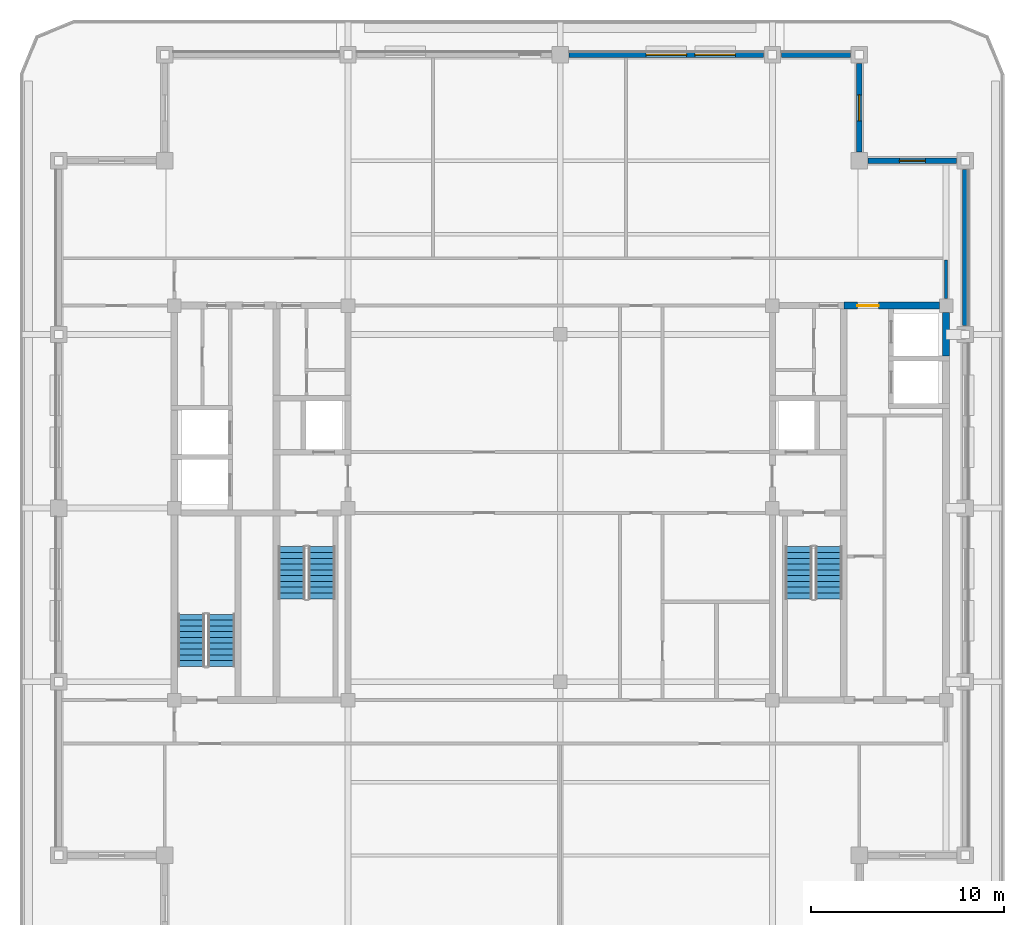
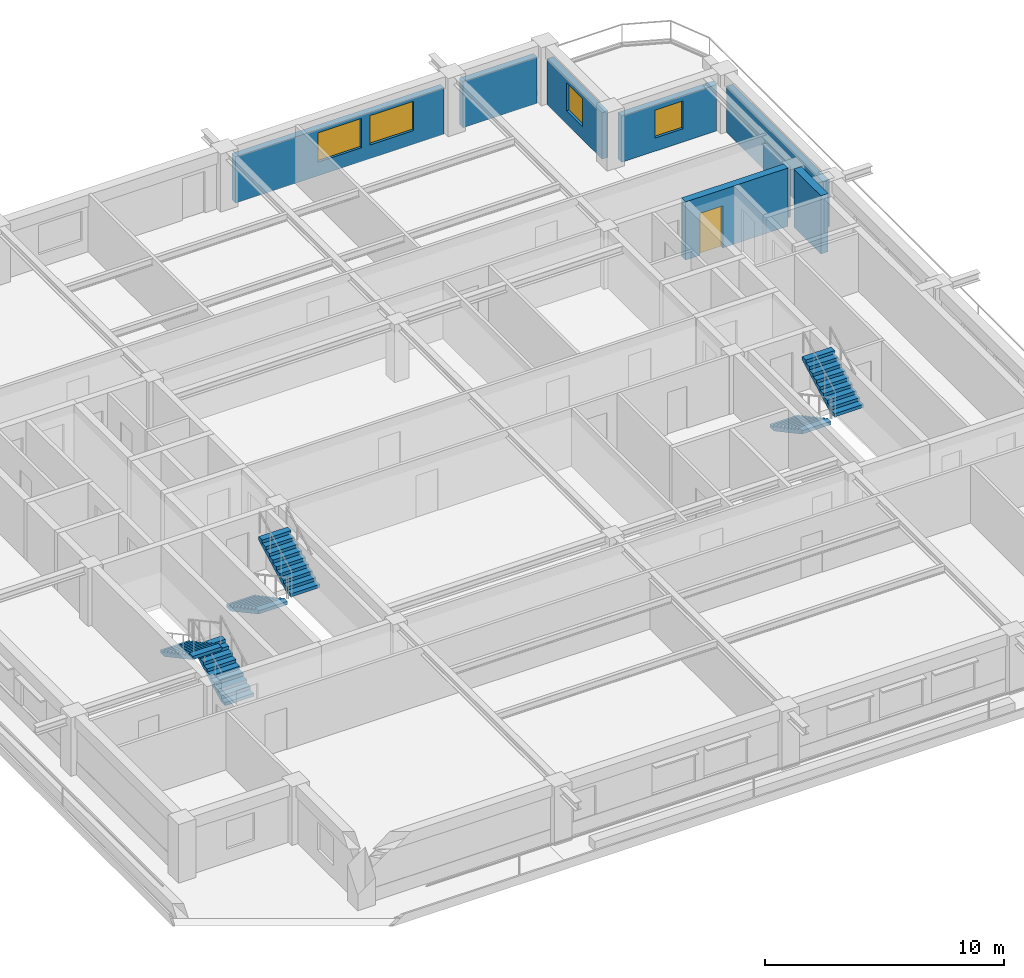
# One storey, part 6 of 11: 8 walls, 6 stair flights, 4 windows, 1 door, 5 openings, 3 elements without a shape of their own.
"""IFC4 building model written with IfcOpenShell, lengths in metres."""

from ifc_helpers import new_model, si_unit, direction, frame, frame_2d, origin, place, context, subcontext, project, spatial, polyline, rectangle, outline, extrude, material, layer, layer_set, type_object, element, fill, aggregate, save


model = new_model("IFC4")

# Units and contexts
model_context = context("Model", 3, precision=1e-05, world=origin(), true_north=direction((0.0, 1.0)))
body_context = subcontext(model_context, "Body", "Model", "MODEL_VIEW")
ifc_project = project(units=[si_unit("LENGTHUNIT", "METRE"), si_unit("AREAUNIT", "SQUARE_METRE"), si_unit("VOLUMEUNIT", "CUBIC_METRE"), si_unit("PLANEANGLEUNIT", "RADIAN"), si_unit("MASSUNIT", "GRAM", prefix="KILO")], contexts=[model_context])

# Site, building, storey
site_placement = place(None, origin())
site = spatial("IfcSite", under=ifc_project, at=site_placement, CompositionType="ELEMENT")
building_placement = place(site_placement, origin())
building = spatial("IfcBuilding", under=site, at=building_placement, Name="Zulmaris Gate Convention Tower", CompositionType="ELEMENT")
storey_placement = place(building_placement, frame((0.0, 0.0, 260.889892578125)))
storey = spatial("IfcBuildingStorey", under=building, at=storey_placement, Name="L69", CompositionType="ELEMENT", Elevation=260.889892578125)

# Wall, opening, door
ifc_material_1 = material(Name="Concrete C55/67", Category="concrete")
ifc_layer_1 = layer(ifc_material_1, 0.35009765625, Name="Concrete C55/67")
ifc_layer_set_1 = layer_set([ifc_layer_1], Name="Concrete C55/67")
wall_type_1 = type_object("IfcWallType", Name="CORE-350", PredefinedType="SHEAR", material=ifc_layer_set_1)
wall_1_placement = place(storey_placement, frame((14.699951171875, 10.5, 0.0), z_axis=(0.0, 0.0, 1.0), x_axis=(1.0, 0.0, 0.0)))
wall_1 = element("IfcWall", 1, at=wall_1_placement, inside=storey, type_object=wall_type_1, Name="WL-L69-018", PredefinedType="SHEAR", context=body_context, shape_type="SweptSolid", body=[
    extrude(rectangle(XDim=4.946044921875, YDim=0.35009765625, at=frame_2d((2.47314453125, 0.0))), origin(), (0.0, 0.0, 1.0), 2.97998046875),
])
opening_1_placement = place(wall_1_placement, frame((0.699951171875, 0.0, 0.0)))
opening_1 = element("IfcOpeningElement", 2, at=opening_1_placement, cuts=wall_1, Name="Opening D-08", PredefinedType="OPENING", context=body_context, shape_type="SweptSolid", body=[
    extrude(rectangle(XDim=1.10009765625, YDim=2.14990234375, at=frame_2d((0.550048828125, 1.074951171875))), frame((0.0, 0.18505859375, 0.0), z_axis=(0.0, -1.0, 0.0), x_axis=(1.0, 0.0, 0.0)), (0.0, 0.0, 1.0), 0.3701171875),
])
ifc_material_2 = material(Name="Fire-Rated Steel", Category="steel")
door_type = type_object("IfcDoorType", Name="DR-1100-FD", OperationType="NOTDEFINED", PredefinedType="DOOR", material=ifc_material_2)
door_placement = place(opening_1_placement, origin())
door = element("IfcDoor", 3, at=door_placement, inside=storey, type_object=door_type, Name="L69 High-Rise East Lift Lobby Door 21", OperationType="SINGLE_SWING_RIGHT", OverallHeight=2.14990234375, OverallWidth=1.10009765625, PredefinedType="DOOR", context=body_context, shape_type="SweptSolid", body=[
    extrude(rectangle(XDim=1.10009765625, YDim=2.14990234375, at=frame_2d((0.550048828125, 1.074951171875))), frame((0.0, 0.02490234375, 0.0), z_axis=(0.0, -1.0, 0.0), x_axis=(1.0, 0.0, 0.0)), (0.0, 0.0, 1.0), 0.050048828125),
])
fill(opening_1, door)

# Walls
wall_2_placement = place(storey_placement, frame((20.0, 7.876953125, 0.0), z_axis=(0.0, 0.0, 1.0), x_axis=(0.0, 1.0, 0.0)))
element("IfcWall", 4, at=wall_2_placement, inside=storey, type_object=wall_type_1, Name="WL-L69-063", PredefinedType="SHEAR", context=body_context, shape_type="SweptSolid", body=[
    extrude(rectangle(XDim=2.26904296875, YDim=0.35009765625, at=frame_2d((1.134521484375, 0.0))), origin(), (0.0, 0.0, 1.0), 2.97998046875),
])
ifc_material_3 = material(Name="Gypsum Metal Stud Partition")
ifc_layer_2 = layer(ifc_material_3, 0.14990234375, Name="Gypsum Metal Stud Partition")
ifc_layer_set_2 = layer_set([ifc_layer_2], Name="Gypsum Metal Stud Partition")
wall_type_2 = type_object("IfcWallType", Name="PART-150", PredefinedType="PARTITIONING", material=ifc_layer_set_2)
wall_3_placement = place(storey_placement, frame((20.0, 10.85595703125, 0.0), z_axis=(0.0, 0.0, 1.0), x_axis=(0.0, 1.0, 0.0)))
element("IfcWall", 5, at=wall_3_placement, inside=storey, type_object=wall_type_2, Name="WL-L69-086", PredefinedType="PARTITIONING", context=body_context, shape_type="SweptSolid", body=[
    extrude(rectangle(XDim=2.01611328125, YDim=0.14990234375, at=frame_2d((1.008056640625, 0.0))), origin(), (0.0, 0.0, 1.0), 2.570068359375),
])

# Wall, opening, window
ifc_material_4 = material(Name="Precast concrete C40/50", Category="concrete")
ifc_layer_3 = layer(ifc_material_4, 0.300048828125, Name="Precast concrete C40/50")
ifc_layer_set_3 = layer_set([ifc_layer_3], Name="Precast concrete C40/50")
wall_type_3 = type_object("IfcWallType", Name="PRECAST-PIER-300", PredefinedType="STANDARD", material=ifc_layer_set_3)
wall_4_placement = place(storey_placement, frame((20.544921875, 18.0, 0.0), z_axis=(0.0, 0.0, 1.0), x_axis=(-1.0, 0.0, 0.0)))
wall_4 = element("IfcWall", 6, at=wall_4_placement, inside=storey, type_object=wall_type_3, Name="EW-L69-NOTCH-NE1_0", PredefinedType="STANDARD", context=body_context, shape_type="SweptSolid", body=[
    extrude(rectangle(XDim=4.58984375, YDim=0.300048828125, at=frame_2d((2.294921875, 0.0))), origin(), (0.0, 0.0, 1.0), 2.3720703125),
])
opening_2_placement = place(wall_4_placement, frame((1.6201171875, 0.0, 0.679931640625)))
opening_2 = element("IfcOpeningElement", 7, at=opening_2_placement, cuts=wall_4, Name="Opening W-10", PredefinedType="OPENING", context=body_context, shape_type="SweptSolid", body=[
    extrude(rectangle(XDim=1.35009765625, YDim=1.419921875, at=frame_2d((0.675048828125, 0.7099609375))), frame((0.0, 0.16015625, 0.0), z_axis=(0.0, -1.0, 0.0), x_axis=(1.0, 0.0, 0.0)), (0.0, 0.0, 1.0), 0.320068359375),
])
ifc_material_5 = material(Name="Low-E Laminated Double Glazing in Aluminium Frame", Category="aluminium")
window_type_1 = type_object("IfcWindowType", Name="WIN-1350x2000", PartitioningType="SINGLE_PANEL", PredefinedType="WINDOW", material=ifc_material_5)
window_1_placement = place(opening_2_placement, origin())
window_1 = element("IfcWindow", 8, at=window_1_placement, inside=storey, type_object=window_type_1, Name="WN-EW-L69-NOTCH-NE1_0", OverallHeight=1.419921875, OverallWidth=1.35009765625, PartitioningType="SINGLE_PANEL", PredefinedType="WINDOW", context=body_context, shape_type="SweptSolid", body=[
    extrude(rectangle(XDim=1.35009765625, YDim=1.419921875, at=frame_2d((0.675048828125, 0.7099609375))), frame((0.0, 0.030029296875, 0.0), z_axis=(0.0, -1.0, 0.0), x_axis=(1.0, 0.0, 0.0)), (0.0, 0.0, 1.0), 0.06005859375),
])
fill(opening_2, window_1)

wall_5_placement = place(storey_placement, frame((15.5, 18.455078125, 0.0), z_axis=(0.0, 0.0, 1.0), x_axis=(0.0, 1.0, 0.0)))
wall_5 = element("IfcWall", 9, at=wall_5_placement, inside=storey, type_object=wall_type_3, Name="EW-L69-NOTCH-NE2_0", PredefinedType="STANDARD", context=body_context, shape_type="SweptSolid", body=[
    extrude(rectangle(XDim=4.58984375, YDim=0.300048828125, at=frame_2d((2.294921875, 0.0))), origin(), (0.0, 0.0, 1.0), 2.3720703125),
])
opening_3_placement = place(wall_5_placement, frame((1.6201171875, 0.0, 0.679931640625)))
opening_3 = element("IfcOpeningElement", 10, at=opening_3_placement, cuts=wall_5, Name="Opening W-10", PredefinedType="OPENING", context=body_context, shape_type="SweptSolid", body=[
    extrude(rectangle(XDim=1.35009765625, YDim=1.419921875, at=frame_2d((0.675048828125, 0.7099609375))), frame((0.0, 0.16015625, 0.0), z_axis=(0.0, -1.0, 0.0), x_axis=(1.0, 0.0, 0.0)), (0.0, 0.0, 1.0), 0.320068359375),
])
window_2_placement = place(opening_3_placement, origin())
window_2 = element("IfcWindow", 11, at=window_2_placement, inside=storey, type_object=window_type_1, Name="WN-EW-L69-NOTCH-NE2_0", OverallHeight=1.419921875, OverallWidth=1.35009765625, PartitioningType="SINGLE_PANEL", PredefinedType="WINDOW", context=body_context, shape_type="SweptSolid", body=[
    extrude(rectangle(XDim=1.35009765625, YDim=1.419921875, at=frame_2d((0.675048828125, 0.7099609375))), frame((0.0, 0.030029296875, 0.0), z_axis=(0.0, -1.0, 0.0), x_axis=(1.0, 0.0, 0.0)), (0.0, 0.0, 1.0), 0.06005859375),
])
fill(opening_3, window_2)

# Wall, openings, windows
wall_6_placement = place(storey_placement, frame((10.544921875, 23.5, 0.0), z_axis=(0.0, 0.0, 1.0), x_axis=(-1.0, 0.0, 0.0)))
wall_6 = element("IfcWall", 12, at=wall_6_placement, inside=storey, type_object=wall_type_3, Name="EW-L69-N-2_0", PredefinedType="STANDARD", context=body_context, shape_type="SweptSolid", body=[
    extrude(rectangle(XDim=10.08984375, YDim=0.300048828125, at=frame_2d((5.044921875, 0.0))), origin(), (0.0, 0.0, 1.0), 2.3720703125),
])
opening_4_placement = place(wall_6_placement, frame((1.471923828125, 0.0, 0.699951171875)))
opening_4 = element("IfcOpeningElement", 13, at=opening_4_placement, cuts=wall_6, Name="Opening W-05", PredefinedType="OPENING", context=body_context, shape_type="SweptSolid", body=[
    extrude(rectangle(XDim=2.10009765625, YDim=1.5, at=frame_2d((1.050048828125, 0.75))), frame((0.0, 0.16015625, 0.0), z_axis=(0.0, -1.0, 0.0), x_axis=(1.0, 0.0, 0.0)), (0.0, 0.0, 1.0), 0.320068359375),
])
opening_5_placement = place(wall_6_placement, frame((3.9951171875, 0.0, 0.699951171875)))
opening_5 = element("IfcOpeningElement", 14, at=opening_5_placement, cuts=wall_6, Name="Opening W-05", PredefinedType="OPENING", context=body_context, shape_type="SweptSolid", body=[
    extrude(rectangle(XDim=2.10009765625, YDim=1.5, at=frame_2d((1.050048828125, 0.75))), frame((0.0, 0.16015625, 0.0), z_axis=(0.0, -1.0, 0.0), x_axis=(1.0, 0.0, 0.0)), (0.0, 0.0, 1.0), 0.320068359375),
])
window_type_2 = type_object("IfcWindowType", Name="WIN-2100x2400", PartitioningType="SINGLE_PANEL", PredefinedType="WINDOW", material=ifc_material_5)
window_3_placement = place(opening_4_placement, origin())
window_3 = element("IfcWindow", 15, at=window_3_placement, inside=storey, type_object=window_type_2, Name="WN-EW-L69-N-2_0-1", OverallHeight=1.5, OverallWidth=2.10009765625, PartitioningType="SINGLE_PANEL", PredefinedType="WINDOW", context=body_context, shape_type="SweptSolid", body=[
    extrude(rectangle(XDim=2.10009765625, YDim=1.5, at=frame_2d((1.050048828125, 0.75))), frame((0.0, 0.030029296875, 0.0), z_axis=(0.0, -1.0, 0.0), x_axis=(1.0, 0.0, 0.0)), (0.0, 0.0, 1.0), 0.06005859375),
])
fill(opening_4, window_3)
window_4_placement = place(opening_5_placement, origin())
window_4 = element("IfcWindow", 16, at=window_4_placement, inside=storey, type_object=window_type_2, Name="WN-EW-L69-N-2_0-2", OverallHeight=1.5, OverallWidth=2.10009765625, PartitioningType="SINGLE_PANEL", PredefinedType="WINDOW", context=body_context, shape_type="SweptSolid", body=[
    extrude(rectangle(XDim=2.10009765625, YDim=1.5, at=frame_2d((1.050048828125, 0.75))), frame((0.0, 0.030029296875, 0.0), z_axis=(0.0, -1.0, 0.0), x_axis=(1.0, 0.0, 0.0)), (0.0, 0.0, 1.0), 0.06005859375),
])
fill(opening_5, window_4)

# Walls
wall_7_placement = place(storey_placement, frame((15.044921875, 23.5, 0.0), z_axis=(0.0, 0.0, 1.0), x_axis=(-1.0, 0.0, 0.0)))
element("IfcWall", 17, at=wall_7_placement, inside=storey, type_object=wall_type_3, Name="EW-L69-N-3_0", PredefinedType="STANDARD", context=body_context, shape_type="SweptSolid", body=[
    extrude(rectangle(XDim=3.58984375, YDim=0.300048828125, at=frame_2d((1.794921875, 0.0))), origin(), (0.0, 0.0, 1.0), 2.3720703125),
])
wall_8_placement = place(storey_placement, frame((21.0, 9.455078125, 0.0), z_axis=(0.0, 0.0, 1.0), x_axis=(0.0, 1.0, 0.0)))
element("IfcWall", 18, at=wall_8_placement, inside=storey, type_object=wall_type_3, Name="EW-L69-E-3_0", PredefinedType="STANDARD", context=body_context, shape_type="SweptSolid", body=[
    extrude(rectangle(XDim=8.08984375, YDim=0.300048828125, at=frame_2d((4.044921875, 0.0))), origin(), (0.0, 0.0, 1.0), 2.3720703125),
])

# Stair, stair flights
ifc_material_6 = material(Name="Concrete C45/55", Category="concrete")
stair_type = type_object("IfcStairType", Name="ST-CORE-DOGLEG", PredefinedType="HALF_TURN_STAIR", material=ifc_material_6)
stair_1_placement = place(storey_placement, origin())
stair_1 = element("IfcStair", 19, at=stair_1_placement, inside=storey, type_object=stair_type, Name="L69 Core Exit Stair ST-1", PredefinedType="HALF_TURN_STAIR")
ifc_layer_4 = layer(ifc_material_6, 0.14990234375, Name="Concrete C45/55")
ifc_layer_set_4 = layer_set([ifc_layer_4], Name="Concrete C45/55")
stair_flight_type = type_object("IfcStairFlightType", Name="STF-RC150", PredefinedType="STRAIGHT", material=ifc_layer_set_4)
stair_flight_1_placement = place(storey_placement, frame((-13.919921875, -2.0, 0.0), z_axis=(0.0, 0.0, 1.0), x_axis=(0.0, -1.0, 0.0)))
stair_flight_1 = element("IfcStairFlight", 20, at=stair_flight_1_placement, type_object=stair_flight_type, Name="ST-1 flight 1", NumberOfRisers=10, NumberOfTreads=9, PredefinedType="STRAIGHT", RiserHeight=0.1615, TreadLength=0.3, context=body_context, shape_type="SweptSolid", body=[
    extrude(outline(polyline([(0.0, 0.0), (0.0, 0.16162109375), (0.300048828125, 0.16162109375), (0.300048828125, 0.322998046875), (0.60009765625, 0.322998046875), (0.60009765625, 0.484619140625), (0.89990234375, 0.484619140625), (0.89990234375, 0.64599609375), (1.199951171875, 0.64599609375), (1.199951171875, 0.8076171875), (1.5, 0.8076171875), (1.5, 0.968994140625), (1.800048828125, 0.968994140625), (1.800048828125, 1.130615234375), (2.10009765625, 1.130615234375), (2.10009765625, 1.2919921875), (2.39990234375, 1.2919921875), (2.39990234375, 1.45361328125), (2.699951171875, 1.45361328125), (2.699951171875, 1.614990234375), (2.699951171875, 1.283203125), (0.316162109375, 0.0), (0.0, 0.0)])), frame((0.0, 0.699951171875, 0.0), z_axis=(0.0, -1.0, 0.0), x_axis=(1.0, 0.0, 0.0)), (0.0, 0.0, 1.0), 1.39990234375),
])
stair_flight_2_placement = place(storey_placement, frame((-12.360107421875, -4.699951171875, 1.614990234375), z_axis=(0.0, 0.0, 1.0), x_axis=(0.0, 1.0, 0.0)))
stair_flight_2 = element("IfcStairFlight", 21, at=stair_flight_2_placement, type_object=stair_flight_type, Name="ST-1 flight 2", NumberOfRisers=10, NumberOfTreads=9, PredefinedType="STRAIGHT", RiserHeight=0.1615, TreadLength=0.3, context=body_context, shape_type="SweptSolid", body=[
    extrude(outline(polyline([(0.0, 0.0), (0.0, 0.16162109375), (0.300048828125, 0.16162109375), (0.300048828125, 0.322998046875), (0.60009765625, 0.322998046875), (0.60009765625, 0.484619140625), (0.89990234375, 0.484619140625), (0.89990234375, 0.64599609375), (1.199951171875, 0.64599609375), (1.199951171875, 0.8076171875), (1.5, 0.8076171875), (1.5, 0.968994140625), (1.800048828125, 0.968994140625), (1.800048828125, 1.130615234375), (2.10009765625, 1.130615234375), (2.10009765625, 1.2919921875), (2.39990234375, 1.2919921875), (2.39990234375, 1.45361328125), (2.699951171875, 1.45361328125), (2.699951171875, 1.614990234375), (2.699951171875, 1.283203125), (0.316162109375, 0.0), (0.0, 0.0)])), frame((0.0, 0.699951171875, 0.0), z_axis=(0.0, -1.0, 0.0), x_axis=(1.0, 0.0, 0.0)), (0.0, 0.0, 1.0), 1.39990234375),
])
aggregate(stair_1, [stair_flight_1, stair_flight_2])

stair_2_placement = place(storey_placement, origin())
stair_2 = element("IfcStair", 22, at=stair_2_placement, inside=storey, type_object=stair_type, Name="L69 Core Exit Stair ST-2", PredefinedType="HALF_TURN_STAIR")
stair_flight_3_placement = place(storey_placement, frame((12.360107421875, -2.0, 0.0), z_axis=(0.0, 0.0, 1.0), x_axis=(0.0, -1.0, 0.0)))
stair_flight_3 = element("IfcStairFlight", 23, at=stair_flight_3_placement, type_object=stair_flight_type, Name="ST-2 flight 1", NumberOfRisers=10, NumberOfTreads=9, PredefinedType="STRAIGHT", RiserHeight=0.1615, TreadLength=0.3, context=body_context, shape_type="SweptSolid", body=[
    extrude(outline(polyline([(0.0, 0.0), (0.0, 0.16162109375), (0.300048828125, 0.16162109375), (0.300048828125, 0.322998046875), (0.60009765625, 0.322998046875), (0.60009765625, 0.484619140625), (0.89990234375, 0.484619140625), (0.89990234375, 0.64599609375), (1.199951171875, 0.64599609375), (1.199951171875, 0.8076171875), (1.5, 0.8076171875), (1.5, 0.968994140625), (1.800048828125, 0.968994140625), (1.800048828125, 1.130615234375), (2.10009765625, 1.130615234375), (2.10009765625, 1.2919921875), (2.39990234375, 1.2919921875), (2.39990234375, 1.45361328125), (2.699951171875, 1.45361328125), (2.699951171875, 1.614990234375), (2.699951171875, 1.283203125), (0.316162109375, 0.0), (0.0, 0.0)])), frame((0.0, 0.699951171875, 0.0), z_axis=(0.0, -1.0, 0.0), x_axis=(1.0, 0.0, 0.0)), (0.0, 0.0, 1.0), 1.39990234375),
])
stair_flight_4_placement = place(storey_placement, frame((13.919921875, -4.699951171875, 1.614990234375), z_axis=(0.0, 0.0, 1.0), x_axis=(0.0, 1.0, 0.0)))
stair_flight_4 = element("IfcStairFlight", 24, at=stair_flight_4_placement, type_object=stair_flight_type, Name="ST-2 flight 2", NumberOfRisers=10, NumberOfTreads=9, PredefinedType="STRAIGHT", RiserHeight=0.1615, TreadLength=0.3, context=body_context, shape_type="SweptSolid", body=[
    extrude(outline(polyline([(0.0, 0.0), (0.0, 0.16162109375), (0.300048828125, 0.16162109375), (0.300048828125, 0.322998046875), (0.60009765625, 0.322998046875), (0.60009765625, 0.484619140625), (0.89990234375, 0.484619140625), (0.89990234375, 0.64599609375), (1.199951171875, 0.64599609375), (1.199951171875, 0.8076171875), (1.5, 0.8076171875), (1.5, 0.968994140625), (1.800048828125, 0.968994140625), (1.800048828125, 1.130615234375), (2.10009765625, 1.130615234375), (2.10009765625, 1.2919921875), (2.39990234375, 1.2919921875), (2.39990234375, 1.45361328125), (2.699951171875, 1.45361328125), (2.699951171875, 1.614990234375), (2.699951171875, 1.283203125), (0.316162109375, 0.0), (0.0, 0.0)])), frame((0.0, 0.699951171875, 0.0), z_axis=(0.0, -1.0, 0.0), x_axis=(1.0, 0.0, 0.0)), (0.0, 0.0, 1.0), 1.39990234375),
])
aggregate(stair_2, [stair_flight_3, stair_flight_4])

stair_3_placement = place(storey_placement, origin())
stair_3 = element("IfcStair", 25, at=stair_3_placement, inside=storey, type_object=stair_type, Name="L69 Core Exit Stair ST-3", PredefinedType="HALF_TURN_STAIR")
stair_flight_5_placement = place(storey_placement, frame((-17.56005859375, -8.199951171875, 0.0), z_axis=(0.0, 0.0, 1.0), x_axis=(0.0, 1.0, 0.0)))
stair_flight_5 = element("IfcStairFlight", 26, at=stair_flight_5_placement, type_object=stair_flight_type, Name="ST-3 flight 1", NumberOfRisers=10, NumberOfTreads=9, PredefinedType="STRAIGHT", RiserHeight=0.1615, TreadLength=0.3, context=body_context, shape_type="SweptSolid", body=[
    extrude(outline(polyline([(0.0, 0.0), (0.0, 0.16162109375), (0.300048828125, 0.16162109375), (0.300048828125, 0.322998046875), (0.60009765625, 0.322998046875), (0.60009765625, 0.484619140625), (0.89990234375, 0.484619140625), (0.89990234375, 0.64599609375), (1.199951171875, 0.64599609375), (1.199951171875, 0.8076171875), (1.5, 0.8076171875), (1.5, 0.968994140625), (1.800048828125, 0.968994140625), (1.800048828125, 1.130615234375), (2.10009765625, 1.130615234375), (2.10009765625, 1.2919921875), (2.39990234375, 1.2919921875), (2.39990234375, 1.45361328125), (2.699951171875, 1.45361328125), (2.699951171875, 1.614990234375), (2.699951171875, 1.283203125), (0.316162109375, 0.0), (0.0, 0.0)])), frame((0.0, 0.699951171875, 0.0), z_axis=(0.0, -1.0, 0.0), x_axis=(1.0, 0.0, 0.0)), (0.0, 0.0, 1.0), 1.39990234375),
])
stair_flight_6_placement = place(storey_placement, frame((-19.1201171875, -5.5, 1.614990234375), z_axis=(0.0, 0.0, 1.0), x_axis=(0.0, -1.0, 0.0)))
stair_flight_6 = element("IfcStairFlight", 27, at=stair_flight_6_placement, type_object=stair_flight_type, Name="ST-3 flight 2", NumberOfRisers=10, NumberOfTreads=9, PredefinedType="STRAIGHT", RiserHeight=0.1615, TreadLength=0.3, context=body_context, shape_type="SweptSolid", body=[
    extrude(outline(polyline([(0.0, 0.0), (0.0, 0.16162109375), (0.300048828125, 0.16162109375), (0.300048828125, 0.322998046875), (0.60009765625, 0.322998046875), (0.60009765625, 0.484619140625), (0.89990234375, 0.484619140625), (0.89990234375, 0.64599609375), (1.199951171875, 0.64599609375), (1.199951171875, 0.8076171875), (1.5, 0.8076171875), (1.5, 0.968994140625), (1.800048828125, 0.968994140625), (1.800048828125, 1.130615234375), (2.10009765625, 1.130615234375), (2.10009765625, 1.2919921875), (2.39990234375, 1.2919921875), (2.39990234375, 1.45361328125), (2.699951171875, 1.45361328125), (2.699951171875, 1.614990234375), (2.699951171875, 1.283203125), (0.316162109375, 0.0), (0.0, 0.0)])), frame((0.0, 0.699951171875, 0.0), z_axis=(0.0, -1.0, 0.0), x_axis=(1.0, 0.0, 0.0)), (0.0, 0.0, 1.0), 1.39990234375),
])
aggregate(stair_3, [stair_flight_5, stair_flight_6])

save(model, "model.ifc")
